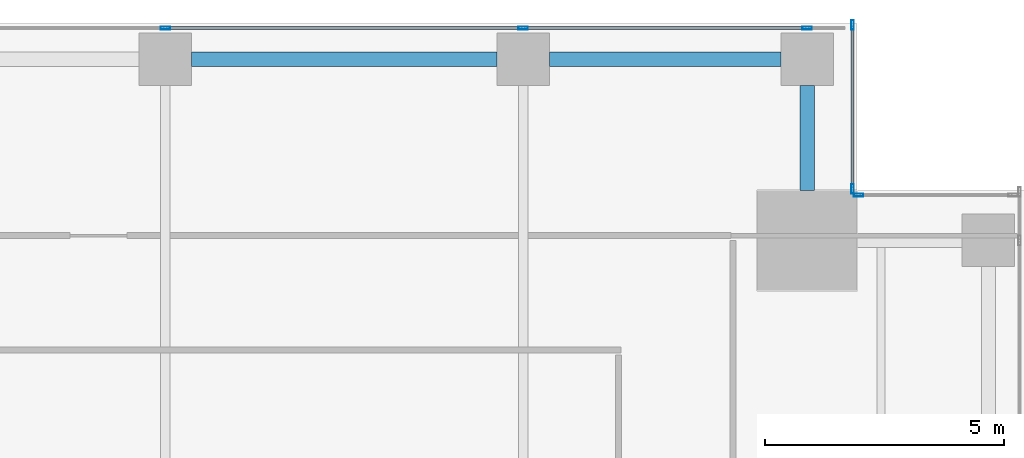
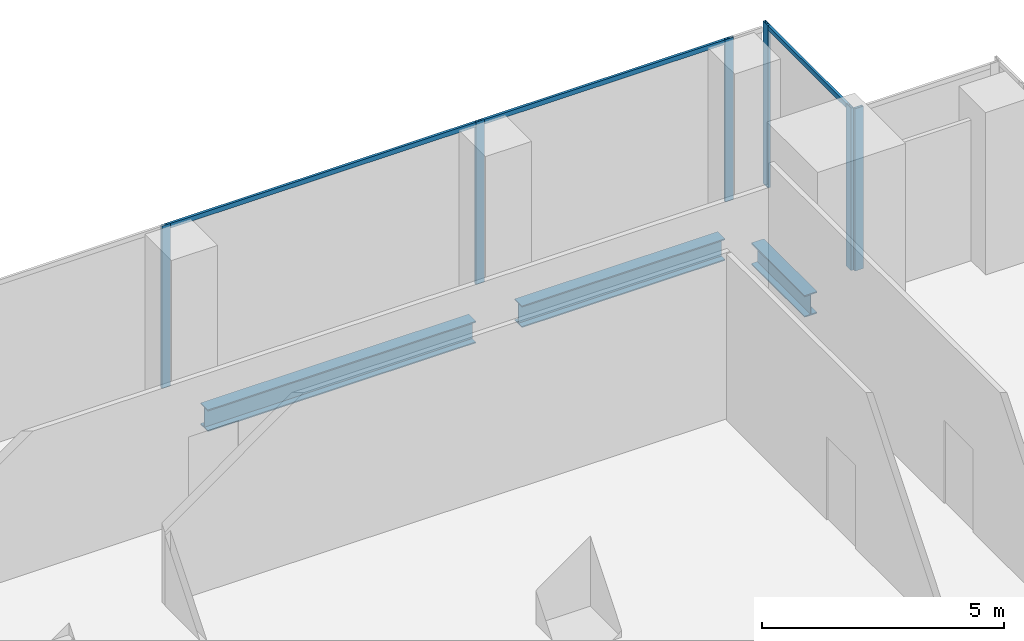
# One storey, part 20 of 34: 9 members, 3 beams, 3 elements without a shape of their own.
"""IFC4 building model written with IfcOpenShell, lengths in metres."""

from ifc_helpers import new_model, si_unit, direction, frame, origin, origin_2d, place, context, subcontext, project, spatial, hollow_rectangle, i_section, extrude, source, transform, mapped, material, material_profile, profile_set, type_object, element, aggregate, save


model = new_model("IFC4")

# Units and contexts
model_context = context("Model", 3, precision=1e-05, world=origin(), true_north=direction((0.0, 1.0)))
body_context = subcontext(model_context, "Body", "Model", "MODEL_VIEW")
ifc_project = project(units=[si_unit("LENGTHUNIT", "METRE"), si_unit("AREAUNIT", "SQUARE_METRE"), si_unit("VOLUMEUNIT", "CUBIC_METRE"), si_unit("PLANEANGLEUNIT", "RADIAN"), si_unit("MASSUNIT", "GRAM", prefix="KILO")], contexts=[model_context])

# Site, building, storey
site_placement = place(None, origin())
site = spatial("IfcSite", under=ifc_project, at=site_placement, CompositionType="ELEMENT")
building_placement = place(site_placement, origin())
building = spatial("IfcBuilding", under=site, at=building_placement, Name="Khomas Fold Tower", CompositionType="ELEMENT")
storey_placement = place(building_placement, frame((0.0, 0.0, 145.5)))
storey = spatial("IfcBuildingStorey", under=building, at=storey_placement, Name="L31", CompositionType="ELEMENT", Elevation=145.5)

# Beams
ifc_material_1 = material(Name="Steel S355", Category="steel")
ifc_material_profile_1 = material_profile(ifc_material_1, i_section(OverallWidth=0.300048828125, OverallDepth=0.550048828125, WebThickness=0.014892578125, FlangeThickness=0.029052734375, at=origin_2d()), Name="HE 550 B")
ifc_profile_set_1 = profile_set([ifc_material_profile_1], Name="Steel S355")
beam_type = type_object("IfcBeamType", Name="HE 550 B spandrel SB2", PredefinedType="SPANDREL", material=ifc_profile_set_1)
shared_shape_1 = source(origin(), body_context, "Body", "SweptSolid", [
    extrude(i_section(OverallWidth=0.300048828125, OverallDepth=0.550048828125, WebThickness=0.014892578125, FlangeThickness=0.029052734375, at=origin_2d()), origin(), (0.0, 0.0, 1.0), 4.849853515625),
])
beam_1_placement = place(storey_placement, frame((42.550048828125, 51.75, -0.574951171875), z_axis=(1.0, 0.0, 0.0), x_axis=(0.0, 1.0, 0.0)))
element("IfcBeam", 1, at=beam_1_placement, inside=storey, type_object=beam_type, Name="SB2", PredefinedType="SPANDREL", context=body_context, shape_type="MappedRepresentation", body=[
    mapped(shared_shape_1, transform((0.0, 0.0, 0.0))),
])
shared_shape_2 = source(origin(), body_context, "Body", "SweptSolid", [
    extrude(i_section(OverallWidth=0.300048828125, OverallDepth=0.550048828125, WebThickness=0.014892578125, FlangeThickness=0.029052734375, at=origin_2d()), origin(), (0.0, 0.0, 1.0), 6.39990234375),
])
beam_2_placement = place(storey_placement, frame((35.050048828125, 51.75, -0.574951171875), z_axis=(1.0, 0.0, 0.0), x_axis=(0.0, 1.0, 0.0)))
element("IfcBeam", 2, at=beam_2_placement, inside=storey, type_object=beam_type, Name="SB2", PredefinedType="SPANDREL", context=body_context, shape_type="MappedRepresentation", body=[
    mapped(shared_shape_2, transform((0.0, 0.0, 0.0))),
])
shared_shape_3 = source(origin(), body_context, "Body", "SweptSolid", [
    extrude(i_section(OverallWidth=0.300048828125, OverallDepth=0.550048828125, WebThickness=0.014892578125, FlangeThickness=0.029052734375, at=origin_2d()), origin(), (0.0, 0.0, 1.0), 2.199951171875),
])
beam_3_placement = place(storey_placement, frame((47.949951171875, 49.0, -0.574951171875), z_axis=(0.0, 1.0, 0.0), x_axis=(-1.0, 0.0, 0.0)))
element("IfcBeam", 3, at=beam_3_placement, inside=storey, type_object=beam_type, Name="SB2", PredefinedType="SPANDREL", context=body_context, shape_type="MappedRepresentation", body=[
    mapped(shared_shape_3, transform((0.0, 0.0, 0.0))),
])

# Curtain wall, member
ifc_material_2 = material(Name="Aluminium framed double glazing", Category="aluminium")
curtain_wall_type = type_object("IfcCurtainWallType", Name="SK-Unitised clear-glass wall, growing floors CW1", PredefinedType="NOTDEFINED", material=ifc_material_2)
curtain_wall_1_placement = place(storey_placement, origin())
curtain_wall_1 = element("IfcCurtainWall", 4, at=curtain_wall_1_placement, inside=storey, type_object=curtain_wall_type, Name="CW1 run L31 06-0", PredefinedType="NOTDEFINED")
ifc_material_3 = material(Name="Aluminium", Category="aluminium")
ifc_material_profile_2 = material_profile(ifc_material_3, hollow_rectangle(XDim=0.06005859375, YDim=0.1201171875, WallThickness=0.00390625, at=origin_2d()), Name="SK-Unitised clear-glass wall, growing floors transom CW1-T")
ifc_profile_set_2 = profile_set([ifc_material_profile_2], Name="Aluminium")
member_type_1 = type_object("IfcMemberType", Name="SK-Unitised clear-glass wall, growing floors transom CW1-T", PredefinedType="USERDEFINED", material=ifc_profile_set_2)
shared_shape_4 = source(origin(), body_context, "Body", "SweptSolid", [
    extrude(hollow_rectangle(XDim=0.06005859375, YDim=0.1201171875, WallThickness=0.00390625, at=origin_2d()), origin(), (0.0, 0.0, 1.0), 7.43994140625),
])
member_1_placement = place(storey_placement, frame((41.969970703125, 52.39990234375, 4.0400390625), z_axis=(-1.0, 0.0, 0.0), x_axis=(0.0, -1.0, 0.0)))
member_1 = element("IfcMember", 5, at=member_1_placement, type_object=member_type_1, Name="CW1 transom 3", ObjectType="TRANSOM", PredefinedType="USERDEFINED", context=body_context, shape_type="MappedRepresentation", body=[
    mapped(shared_shape_4, transform((0.0, 0.0, 0.0))),
])

curtain_wall_2_placement = place(storey_placement, origin())
curtain_wall_2 = element("IfcCurtainWall", 6, at=curtain_wall_2_placement, inside=storey, type_object=curtain_wall_type, Name="CW1 corner return L31 04", PredefinedType="NOTDEFINED")
ifc_material_4 = material(Name="Aluminium", Category="aluminium")
ifc_material_profile_3 = material_profile(ifc_material_4, hollow_rectangle(XDim=0.06005859375, YDim=0.199951171875, WallThickness=0.00390625, at=origin_2d()), Name="SK-Unitised clear-glass wall, growing floors mullion CW1-M")
ifc_profile_set_3 = profile_set([ifc_material_profile_3], Name="Aluminium")
member_type_2 = type_object("IfcMemberType", Name="SK-Unitised clear-glass wall, growing floors mullion CW1-M", PredefinedType="MULLION", material=ifc_profile_set_3)
shared_shape_5 = source(origin(), body_context, "Body", "SweptSolid", [
    extrude(hollow_rectangle(XDim=0.06005859375, YDim=0.199951171875, WallThickness=0.00390625, at=origin_2d()), origin(), (0.0, 0.0, 1.0), 4.10009765625),
])
member_2_placement = place(storey_placement, frame((49.030029296875, 48.89990234375, 0.0), z_axis=(0.0, 0.0, 1.0), x_axis=(0.0, -1.0, 0.0)))
member_2 = element("IfcMember", 7, at=member_2_placement, type_object=member_type_2, Name="CW1 mullion 2", PredefinedType="MULLION", context=body_context, shape_type="MappedRepresentation", body=[
    mapped(shared_shape_5, transform((0.0, 0.0, 0.0))),
])
aggregate(curtain_wall_2, [member_2])

# Curtain wall, members
curtain_wall_3_placement = place(storey_placement, origin())
curtain_wall_3 = element("IfcCurtainWall", 8, at=curtain_wall_3_placement, inside=storey, type_object=curtain_wall_type, Name="CW1 corner return L31 05", PredefinedType="NOTDEFINED")
member_3_placement = place(storey_placement, frame((48.89990234375, 49.030029296875, 0.0), z_axis=(0.0, 0.0, 1.0), x_axis=(-1.0, 0.0, 0.0)))
member_3 = element("IfcMember", 9, at=member_3_placement, type_object=member_type_2, Name="CW1 mullion 1", PredefinedType="MULLION", context=body_context, shape_type="MappedRepresentation", body=[
    mapped(shared_shape_5, transform((0.0, 0.0, 0.0))),
])
member_4_placement = place(storey_placement, frame((48.89990234375, 52.469970703125, 0.0), z_axis=(0.0, 0.0, 1.0), x_axis=(-1.0, 0.0, 0.0)))
member_4 = element("IfcMember", 10, at=member_4_placement, type_object=member_type_2, Name="CW1 mullion 2", PredefinedType="MULLION", context=body_context, shape_type="MappedRepresentation", body=[
    mapped(shared_shape_5, transform((0.0, 0.0, 0.0))),
])

# Member
member_5_placement = place(storey_placement, frame((47.949951171875, 52.39990234375, 0.0), z_axis=(0.0, 0.0, 1.0), x_axis=(0.0, -1.0, 0.0)))
member_5 = element("IfcMember", 11, at=member_5_placement, type_object=member_type_2, Name="CW1 mullion 2", PredefinedType="MULLION", context=body_context, shape_type="MappedRepresentation", body=[
    mapped(shared_shape_5, transform((0.0, 0.0, 0.0))),
])

member_6_placement = place(storey_placement, frame((42.0, 52.39990234375, 0.0), z_axis=(0.0, 0.0, 1.0), x_axis=(0.0, -1.0, 0.0)))
member_6 = element("IfcMember", 12, at=member_6_placement, type_object=member_type_2, Name="CW1 mullion 3", PredefinedType="MULLION", context=body_context, shape_type="MappedRepresentation", body=[
    mapped(shared_shape_5, transform((0.0, 0.0, 0.0))),
])

member_7_placement = place(storey_placement, frame((34.5, 52.39990234375, 0.0), z_axis=(0.0, 0.0, 1.0), x_axis=(0.0, -1.0, 0.0)))
member_7 = element("IfcMember", 13, at=member_7_placement, type_object=member_type_2, Name="CW1 mullion 4", PredefinedType="MULLION", context=body_context, shape_type="MappedRepresentation", body=[
    mapped(shared_shape_5, transform((0.0, 0.0, 0.0))),
])

shared_shape_6 = source(origin(), body_context, "Body", "SweptSolid", [
    extrude(hollow_rectangle(XDim=0.06005859375, YDim=0.1201171875, WallThickness=0.00390625, at=origin_2d()), origin(), (0.0, 0.0, 1.0), 5.889892578125),
])
member_8_placement = place(storey_placement, frame((47.919921875, 52.39990234375, 4.0400390625), z_axis=(-1.0, 0.0, 0.0), x_axis=(0.0, -1.0, 0.0)))
member_8 = element("IfcMember", 14, at=member_8_placement, type_object=member_type_1, Name="CW1 transom 2", ObjectType="TRANSOM", PredefinedType="USERDEFINED", context=body_context, shape_type="MappedRepresentation", body=[
    mapped(shared_shape_6, transform((0.0, 0.0, 0.0))),
])

aggregate(curtain_wall_1, [member_5, member_6, member_7, member_8, member_1])

shared_shape_7 = source(origin(), body_context, "Body", "SweptSolid", [
    extrude(hollow_rectangle(XDim=0.06005859375, YDim=0.1201171875, WallThickness=0.00390625, at=origin_2d()), origin(), (0.0, 0.0, 1.0), 3.3798828125),
])
member_9_placement = place(storey_placement, frame((48.89990234375, 49.06005859375, 4.0400390625), z_axis=(0.0, 1.0, 0.0), x_axis=(-1.0, 0.0, 0.0)))
member_9 = element("IfcMember", 15, at=member_9_placement, type_object=member_type_1, Name="CW1 transom 1", ObjectType="TRANSOM", PredefinedType="USERDEFINED", context=body_context, shape_type="MappedRepresentation", body=[
    mapped(shared_shape_7, transform((0.0, 0.0, 0.0))),
])

aggregate(curtain_wall_3, [member_3, member_4, member_9])

save(model, "model.ifc")
